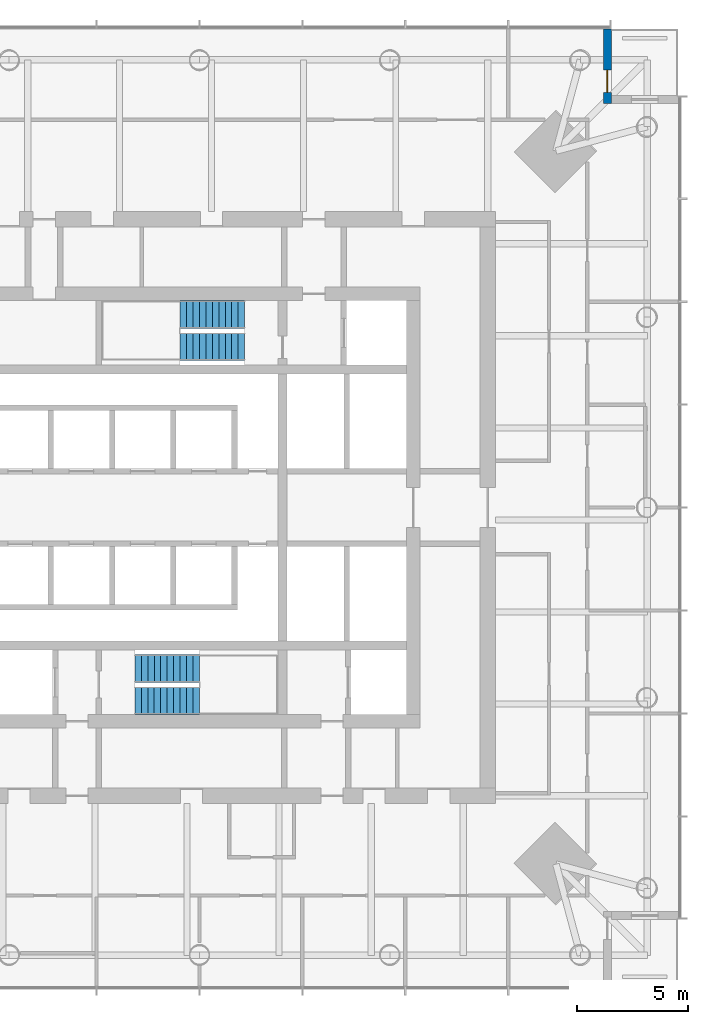
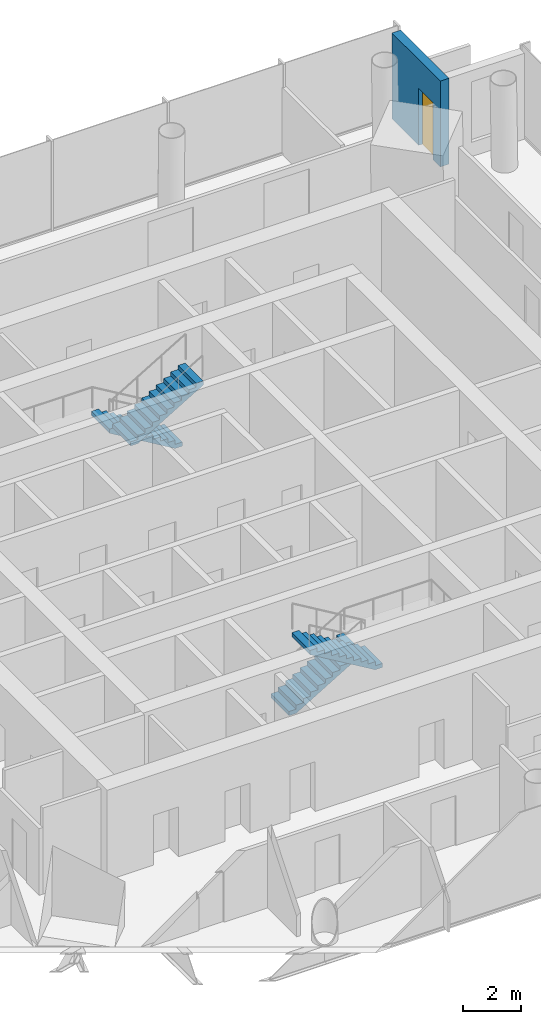
# One storey, part 8 of 9: 4 stair flights, 1 door, 1 wall, 1 opening, 2 elements without a shape of their own.
"""IFC4 building model written with IfcOpenShell, lengths in metres."""

import ifcopenshell
import ifcopenshell.guid

model = None  # the IFC model being written
_history = None  # IfcOwnerHistory: only IFC2X3 demands one
_inside = {}  # id of a spatial element -> (the spatial element, [elements in it])
_under = {}  # id of a project, library or spatial element -> (it, [spatial elements below it])
_declared = {}  # id of a project -> (the project, [libraries it declares])
_typed = {}  # id of a type object -> (the type object, [elements of that type])
_made_of = {}  # id of a material, layer set ... -> (it, [elements and type objects made of it])


def new_model(schema):
    """Start an empty IFC model of exactly this schema.

    Asked for "IFC4X3", IfcOpenShell would pick the latest addendum, in which some entities
    have other attributes; the version numbers below select the first issue.
    IFC2X3 requires an IfcOwnerHistory on every rooted entity: one is made here for all.
    """
    global model, _history
    if schema == "IFC4X3":
        model = ifcopenshell.file(schema_version=(4, 3, 0, 0))
    else:
        model = ifcopenshell.file(schema=schema)
    _inside.clear()
    _under.clear()
    _declared.clear()
    _typed.clear()
    _made_of.clear()
    _history = None
    if model.schema == "IFC2X3":
        org = make("IfcOrganization", Name="unknown")
        user = make(
            "IfcPersonAndOrganization",
            ThePerson=make("IfcPerson", FamilyName="unknown"),
            TheOrganization=org,
        )
        app = make(
            "IfcApplication",
            ApplicationDeveloper=org,
            Version="unknown",
            ApplicationFullName="unknown",
            ApplicationIdentifier="unknown",
        )
        _history = make(
            "IfcOwnerHistory",
            OwningUser=user,
            OwningApplication=app,
            ChangeAction="ADDED",
            CreationDate=0,
        )
    return model


def make(cls, **values):
    """One entity of the class cls with the attributes given. An attribute that is None is left unset."""
    return model.create_entity(
        cls, **{name: value for name, value in values.items() if value is not None}
    )


def rooted(cls, **values):
    """An entity with a GlobalId (a new one), such as an element, a storey or a relation."""
    return make(cls, GlobalId=ifcopenshell.guid.new(), OwnerHistory=_history, **values)


def si_unit(unit_type, name, prefix=None):
    """IfcSIUnit, for example si_unit("LENGTHUNIT", "METRE", prefix="MILLI")."""
    return make("IfcSIUnit", UnitType=unit_type, Prefix=prefix, Name=name)


def assignment(units):
    """IfcUnitAssignment: the units of a project."""
    return None if units is None else make("IfcUnitAssignment", Units=units)


def point(xyz):
    """IfcCartesianPoint."""
    return None if xyz is None else make("IfcCartesianPoint", Coordinates=xyz)


def direction(xyz):
    """IfcDirection."""
    return None if xyz is None else make("IfcDirection", DirectionRatios=xyz)


def frame(location, z_axis=None, x_axis=None):
    """IfcAxis2Placement3D, a coordinate frame: its origin and axes. An axis left out is left unset."""
    return make(
        "IfcAxis2Placement3D",
        Location=point(location),
        Axis=direction(z_axis),
        RefDirection=direction(x_axis),
    )


def frame_2d(location, x_axis=None):
    """IfcAxis2Placement2D, a coordinate frame in the plane: its origin and x axis."""
    return make(
        "IfcAxis2Placement2D", Location=point(location), RefDirection=direction(x_axis)
    )


def origin():
    """The frame at (0, 0, 0) with its axes left unset."""
    return frame((0.0, 0.0, 0.0))


def place(relative_to, where):
    """IfcLocalPlacement: puts the frame where relative to a parent placement (None: the world)."""
    return make(
        "IfcLocalPlacement", PlacementRelTo=relative_to, RelativePlacement=where
    )


def context(
    kind, dimensions, precision=None, world=None, true_north=None, identifier=None
):
    """IfcGeometricRepresentationContext, for example the 3D "Model" context."""
    return make(
        "IfcGeometricRepresentationContext",
        ContextIdentifier=identifier,
        ContextType=kind,
        CoordinateSpaceDimension=dimensions,
        Precision=precision,
        WorldCoordinateSystem=world,
        TrueNorth=true_north,
    )


def subcontext(parent, identifier, kind, view, scale=None):
    """IfcGeometricRepresentationSubContext, for example "Body" below "Model"."""
    return make(
        "IfcGeometricRepresentationSubContext",
        ContextIdentifier=identifier,
        ContextType=kind,
        ParentContext=parent,
        TargetScale=scale,
        TargetView=view,
    )


def project(units=None, contexts=None):
    """IfcProject with its units and contexts."""
    return rooted(
        "IfcProject",
        Name="project",
        RepresentationContexts=contexts,
        UnitsInContext=assignment(units),
    )


def spatial(cls, under=None, at=None, **own):
    """A site, building, storey or space (cls), placed at a placement, below another one or the project."""
    s = rooted(cls, ObjectPlacement=at, **own)
    if under is not None:
        _under.setdefault(under.id(), (under, []))[1].append(s)
    return s


def polyline(points):
    """IfcPolyline through the points."""
    return make("IfcPolyline", Points=[point(p) for p in points])


def profile(cls, at=None, kind="AREA", **sizes):
    """A parametric profile (cls). Its sizes go by their IFC names, for example OverallWidth=200.0."""
    return make(cls, ProfileType=kind, Position=at, **sizes)


def rectangle(**sizes):
    """IfcRectangleProfileDef."""
    return profile("IfcRectangleProfileDef", **sizes)


def outline(outer, holes=None, kind="AREA"):
    """IfcArbitraryClosedProfileDef: a profile drawn as a closed curve; with holes, ...WithVoids."""
    if holes is None:
        return make("IfcArbitraryClosedProfileDef", ProfileType=kind, OuterCurve=outer)
    return make(
        "IfcArbitraryProfileDefWithVoids",
        ProfileType=kind,
        OuterCurve=outer,
        InnerCurves=holes,
    )


def extrude(swept, where, along, depth):
    """IfcExtrudedAreaSolid: the profile swept, set in the frame where, extruded along a direction by depth."""
    return make(
        "IfcExtrudedAreaSolid",
        SweptArea=swept,
        Position=where,
        ExtrudedDirection=direction(along),
        Depth=depth,
    )


def shape(context_of_items, identifier, shape_type, items):
    """IfcShapeRepresentation: the items that make up one representation, for example the "Body"."""
    return make(
        "IfcShapeRepresentation",
        ContextOfItems=context_of_items,
        RepresentationIdentifier=identifier,
        RepresentationType=shape_type,
        Items=items,
    )


def material(Name=None, Category=None):
    """IfcMaterial."""
    return make("IfcMaterial", Name=Name, Category=Category)


def layer(
    of_material, thickness, ventilated=None, Name=None, Category=None, Priority=None
):
    """IfcMaterialLayer: one layer of a wall or slab, of a material (None: an air gap)."""
    return make(
        "IfcMaterialLayer",
        Material=of_material,
        LayerThickness=thickness,
        IsVentilated=ventilated,
        Name=Name,
        Category=Category,
        Priority=Priority,
    )


def layer_set(layers, Name=None):
    """IfcMaterialLayerSet."""
    return make("IfcMaterialLayerSet", MaterialLayers=layers, LayerSetName=Name)


def made_of(thing, what):
    """Note that an element or type object is made of a material, layer set ...; save() writes the relation."""
    if what is not None:
        _made_of.setdefault(what.id(), (what, []))[1].append(thing)
    return thing


def type_object(cls, material=None, **own):
    """A type object (cls), such as IfcWallType, which elements share."""
    return made_of(rooted(cls, **own), material)


def element(
    cls,
    number,
    at=None,
    inside=None,
    cuts=None,
    type_object=None,
    material=None,
    context=None,
    identifier="Body",
    shape_type=None,
    held_by="IfcProductDefinitionShape",
    body=None,
    shapes=None,
    **own,
):
    """One element of the class cls, such as IfcWall. Its Tag is "e" and its number.

    at: its placement. inside: the storey or other place that contains it. cuts: it is an
    opening in that element (IfcRelVoidsElement). A single representation is given by context,
    identifier, shape_type and body (its items); several are given by shapes. held_by: the class
    of the entity that holds the representations. save() writes the other relations.
    """
    e = rooted(cls, Tag="e%d" % number, ObjectPlacement=at, **own)
    if body is not None:
        shapes = [shape(context, identifier, shape_type, body)]
    if shapes is not None:
        e.Representation = make(held_by, Representations=shapes)
    if inside is not None:
        _inside.setdefault(inside.id(), (inside, []))[1].append(e)
    if cuts is not None:
        rooted(
            "IfcRelVoidsElement", RelatingBuildingElement=cuts, RelatedOpeningElement=e
        )
    if type_object is not None:
        _typed.setdefault(type_object.id(), (type_object, []))[1].append(e)
    return made_of(e, material)


def fill(opening, filler):
    """IfcRelFillsElement: the door or window that sits in an opening."""
    return rooted(
        "IfcRelFillsElement",
        RelatingOpeningElement=opening,
        RelatedBuildingElement=filler,
    )


def aggregate(whole, parts):
    """IfcRelAggregates: a whole, such as a stair, and the parts it consists of."""
    return rooted("IfcRelAggregates", RelatingObject=whole, RelatedObjects=parts)


def save(model, path):
    """Write the relations noted so far, then the file.

    IfcRelAggregates (storeys below a building ...), IfcRelContainedInSpatialStructure (elements
    in a storey), IfcRelDefinesByType, IfcRelAssociatesMaterial and IfcRelDeclares: one each for
    every whole, place, type object, material and project.
    """
    for whole, parts in _under.values():
        aggregate(whole, parts)
    for where, things in _inside.values():
        rooted(
            "IfcRelContainedInSpatialStructure",
            RelatedElements=things,
            RelatingStructure=where,
        )
    for kind, things in _typed.values():
        rooted("IfcRelDefinesByType", RelatedObjects=things, RelatingType=kind)
    for what, things in _made_of.values():
        rooted("IfcRelAssociatesMaterial", RelatedObjects=things, RelatingMaterial=what)
    for by, libraries in _declared.values():
        rooted("IfcRelDeclares", RelatingContext=by, RelatedDefinitions=libraries)
    model.write(path)


model = new_model("IFC4")

# Units and contexts
model_context = context("Model", 3, precision=1e-05, world=origin(), true_north=direction((0.0, 1.0)))
body_context = subcontext(model_context, "Body", "Model", "MODEL_VIEW")
ifc_project = project(units=[si_unit("LENGTHUNIT", "METRE"), si_unit("AREAUNIT", "SQUARE_METRE"), si_unit("VOLUMEUNIT", "CUBIC_METRE"), si_unit("PLANEANGLEUNIT", "RADIAN"), si_unit("MASSUNIT", "GRAM", prefix="KILO")], contexts=[model_context])

# Site, building, storey
site_placement = place(None, origin())
site = spatial("IfcSite", under=ifc_project, at=site_placement, CompositionType="ELEMENT")
building_placement = place(site_placement, origin())
building = spatial("IfcBuilding", under=site, at=building_placement, Name="Ostroluk Exchange", CompositionType="ELEMENT")
storey_placement = place(building_placement, frame((0.0, 0.0, 142.60009765625)))
storey = spatial("IfcBuildingStorey", under=building, at=storey_placement, Name="L36", CompositionType="ELEMENT", Elevation=142.60009765625)

# Wall, opening, door
ifc_material_1 = material(Name="Limestone", Category="masonry")
ifc_layer = layer(ifc_material_1, 0.35009765625)
ifc_layer_set = layer_set([ifc_layer], Name="Limestone facade wall 350")
wall_type = type_object("IfcWallType", Name="Limestone facade wall 350", PredefinedType="SOLIDWALL", material=ifc_layer_set)
wall_placement = place(storey_placement, frame((63.324951171875, 67.5, 0.0), z_axis=(0.0, 0.0, 1.0), x_axis=(0.0, -1.0, 0.0)))
wall = element("IfcWall", 1, at=wall_placement, inside=storey, type_object=wall_type, Name="Office tower NE corner wall L36 a", PredefinedType="SOLIDWALL", context=body_context, shape_type="SweptSolid", body=[
    extrude(rectangle(XDim=3.35009765625, YDim=0.35009765625, at=frame_2d((1.675048828125, 0.0))), origin(), (0.0, 0.0, 1.0), 3.619873046875),
])
opening_placement = place(wall_placement, frame((1.85009765625, 0.0, 0.0)))
opening = element("IfcOpeningElement", 2, at=opening_placement, cuts=wall, Name="Opening D-B1", PredefinedType="OPENING", context=body_context, shape_type="SweptSolid", body=[
    extrude(rectangle(XDim=1.0, YDim=2.39990234375, at=frame_2d((0.5, 1.199951171875))), frame((0.0, 0.18505859375, 0.0), z_axis=(0.0, -1.0, 0.0), x_axis=(1.0, 0.0, 0.0)), (0.0, 0.0, 1.0), 0.3701171875),
])
ifc_material_2 = material(Name="Bronze framed glazed door", Category="aluminium")
door_type = type_object("IfcDoorType", Name="Balcony door 1000 x 2400", OperationType="SINGLE_SWING_LEFT", PredefinedType="DOOR", material=ifc_material_2)
door_placement = place(opening_placement, origin())
door = element("IfcDoor", 3, at=door_placement, inside=storey, type_object=door_type, Name="Office tower NE balcony door L36", OperationType="SINGLE_SWING_RIGHT", OverallHeight=2.39990234375, OverallWidth=1.0, PredefinedType="DOOR", context=body_context, shape_type="SweptSolid", body=[
    extrude(rectangle(XDim=1.0, YDim=2.39990234375, at=frame_2d((0.5, 1.199951171875))), frame((0.0, 0.02490234375, 0.0), z_axis=(0.0, -1.0, 0.0), x_axis=(1.0, 0.0, 0.0)), (0.0, 0.0, 1.0), 0.050048828125),
])
fill(opening, door)

# Stair, stair flights
ifc_material_3 = material(Name="Concrete C30/37", Category="concrete")
stair_type = type_object("IfcStairType", Name="Exit stair half turn 3800", PredefinedType="HALF_TURN_STAIR", material=ifc_material_3)
stair_1_placement = place(storey_placement, origin())
stair_1 = element("IfcStair", 4, at=stair_1_placement, inside=storey, type_object=stair_type, Name="Stair T1-S1 L36", PredefinedType="HALF_TURN_STAIR")
ifc_material_4 = material(Name="Concrete C30/37", Category="concrete")
stair_flight_type = type_object("IfcStairFlightType", Name="Stair flight 11 risers 172.7 x 290", PredefinedType="STRAIGHT", material=ifc_material_4)
stair_flight_1_placement = place(storey_placement, frame((42.10009765625, 38.77490234375, 0.0), z_axis=(0.0, 0.0, 1.0), x_axis=(1.0, 0.0, 0.0)))
stair_flight_1 = element("IfcStairFlight", 5, at=stair_flight_1_placement, type_object=stair_flight_type, Name="T1-S1 flight 1", NumberOfRisers=11, NumberOfTreads=10, PredefinedType="STRAIGHT", RiserHeight=0.172727273, TreadLength=0.29, context=body_context, shape_type="SweptSolid", body=[
    extrude(outline(polyline([(0.0, 0.0), (0.0, 0.172607421875), (0.2900390625, 0.172607421875), (0.2900390625, 0.345458984375), (0.580078125, 0.345458984375), (0.580078125, 0.51806640625), (0.8701171875, 0.51806640625), (0.8701171875, 0.69091796875), (1.159912109375, 0.69091796875), (1.159912109375, 0.863525390625), (1.449951171875, 0.863525390625), (1.449951171875, 1.036376953125), (1.739990234375, 1.036376953125), (1.739990234375, 1.208984375), (2.030029296875, 1.208984375), (2.030029296875, 1.3818359375), (2.320068359375, 1.3818359375), (2.320068359375, 1.554443359375), (2.610107421875, 1.554443359375), (2.610107421875, 1.727294921875), (2.89990234375, 1.727294921875), (2.89990234375, 1.89990234375), (2.89990234375, 1.552734375), (0.29296875, 0.0), (0.0, 0.0)])), frame((0.0, 0.625, 0.0), z_axis=(0.0, -1.0, 0.0), x_axis=(1.0, 0.0, 0.0)), (0.0, 0.0, 1.0), 1.25),
])
stair_flight_2_placement = place(storey_placement, frame((45.0, 37.324951171875, 1.89990234375), z_axis=(0.0, 0.0, 1.0), x_axis=(-1.0, 0.0, 0.0)))
stair_flight_2 = element("IfcStairFlight", 6, at=stair_flight_2_placement, type_object=stair_flight_type, Name="T1-S1 flight 2", NumberOfRisers=11, NumberOfTreads=10, PredefinedType="STRAIGHT", RiserHeight=0.172727273, TreadLength=0.29, context=body_context, shape_type="SweptSolid", body=[
    extrude(outline(polyline([(0.0, 0.0), (0.0, 0.172607421875), (0.2900390625, 0.172607421875), (0.2900390625, 0.345458984375), (0.580078125, 0.345458984375), (0.580078125, 0.51806640625), (0.8701171875, 0.51806640625), (0.8701171875, 0.69091796875), (1.159912109375, 0.69091796875), (1.159912109375, 0.863525390625), (1.449951171875, 0.863525390625), (1.449951171875, 1.036376953125), (1.739990234375, 1.036376953125), (1.739990234375, 1.208984375), (2.030029296875, 1.208984375), (2.030029296875, 1.3818359375), (2.320068359375, 1.3818359375), (2.320068359375, 1.554443359375), (2.610107421875, 1.554443359375), (2.610107421875, 1.727294921875), (2.89990234375, 1.727294921875), (2.89990234375, 1.89990234375), (2.89990234375, 1.552734375), (0.29296875, 0.0), (0.0, 0.0)])), frame((0.0, 0.625, 0.0), z_axis=(0.0, -1.0, 0.0), x_axis=(1.0, 0.0, 0.0)), (0.0, 0.0, 1.0), 1.25),
])
aggregate(stair_1, [stair_flight_1, stair_flight_2])

stair_2_placement = place(storey_placement, origin())
stair_2 = element("IfcStair", 7, at=stair_2_placement, inside=storey, type_object=stair_type, Name="Stair T1-S2 L36", PredefinedType="HALF_TURN_STAIR")
stair_flight_3_placement = place(storey_placement, frame((47.030029296875, 54.675048828125, 0.0), z_axis=(0.0, 0.0, 1.0), x_axis=(-1.0, 0.0, 0.0)))
stair_flight_3 = element("IfcStairFlight", 8, at=stair_flight_3_placement, type_object=stair_flight_type, Name="T1-S2 flight 1", NumberOfRisers=11, NumberOfTreads=10, PredefinedType="STRAIGHT", RiserHeight=0.172727273, TreadLength=0.29, context=body_context, shape_type="SweptSolid", body=[
    extrude(outline(polyline([(0.0, 0.0), (0.0, 0.172607421875), (0.2900390625, 0.172607421875), (0.2900390625, 0.345458984375), (0.580078125, 0.345458984375), (0.580078125, 0.51806640625), (0.8701171875, 0.51806640625), (0.8701171875, 0.69091796875), (1.159912109375, 0.69091796875), (1.159912109375, 0.863525390625), (1.449951171875, 0.863525390625), (1.449951171875, 1.036376953125), (1.739990234375, 1.036376953125), (1.739990234375, 1.208984375), (2.030029296875, 1.208984375), (2.030029296875, 1.3818359375), (2.320068359375, 1.3818359375), (2.320068359375, 1.554443359375), (2.610107421875, 1.554443359375), (2.610107421875, 1.727294921875), (2.89990234375, 1.727294921875), (2.89990234375, 1.89990234375), (2.89990234375, 1.552734375), (0.29296875, 0.0), (0.0, 0.0)])), frame((0.0, 0.625, 0.0), z_axis=(0.0, -1.0, 0.0), x_axis=(1.0, 0.0, 0.0)), (0.0, 0.0, 1.0), 1.25),
])
stair_flight_4_placement = place(storey_placement, frame((44.1298828125, 53.22509765625, 1.89990234375), z_axis=(0.0, 0.0, 1.0), x_axis=(1.0, 0.0, 0.0)))
stair_flight_4 = element("IfcStairFlight", 9, at=stair_flight_4_placement, type_object=stair_flight_type, Name="T1-S2 flight 2", NumberOfRisers=11, NumberOfTreads=10, PredefinedType="STRAIGHT", RiserHeight=0.172727273, TreadLength=0.29, context=body_context, shape_type="SweptSolid", body=[
    extrude(outline(polyline([(0.0, 0.0), (0.0, 0.172607421875), (0.2900390625, 0.172607421875), (0.2900390625, 0.345458984375), (0.580078125, 0.345458984375), (0.580078125, 0.51806640625), (0.8701171875, 0.51806640625), (0.8701171875, 0.69091796875), (1.159912109375, 0.69091796875), (1.159912109375, 0.863525390625), (1.449951171875, 0.863525390625), (1.449951171875, 1.036376953125), (1.739990234375, 1.036376953125), (1.739990234375, 1.208984375), (2.030029296875, 1.208984375), (2.030029296875, 1.3818359375), (2.320068359375, 1.3818359375), (2.320068359375, 1.554443359375), (2.610107421875, 1.554443359375), (2.610107421875, 1.727294921875), (2.89990234375, 1.727294921875), (2.89990234375, 1.89990234375), (2.89990234375, 1.552734375), (0.29296875, 0.0), (0.0, 0.0)])), frame((0.0, 0.625, 0.0), z_axis=(0.0, -1.0, 0.0), x_axis=(1.0, 0.0, 0.0)), (0.0, 0.0, 1.0), 1.25),
])
aggregate(stair_2, [stair_flight_3, stair_flight_4])

save(model, "model.ifc")
